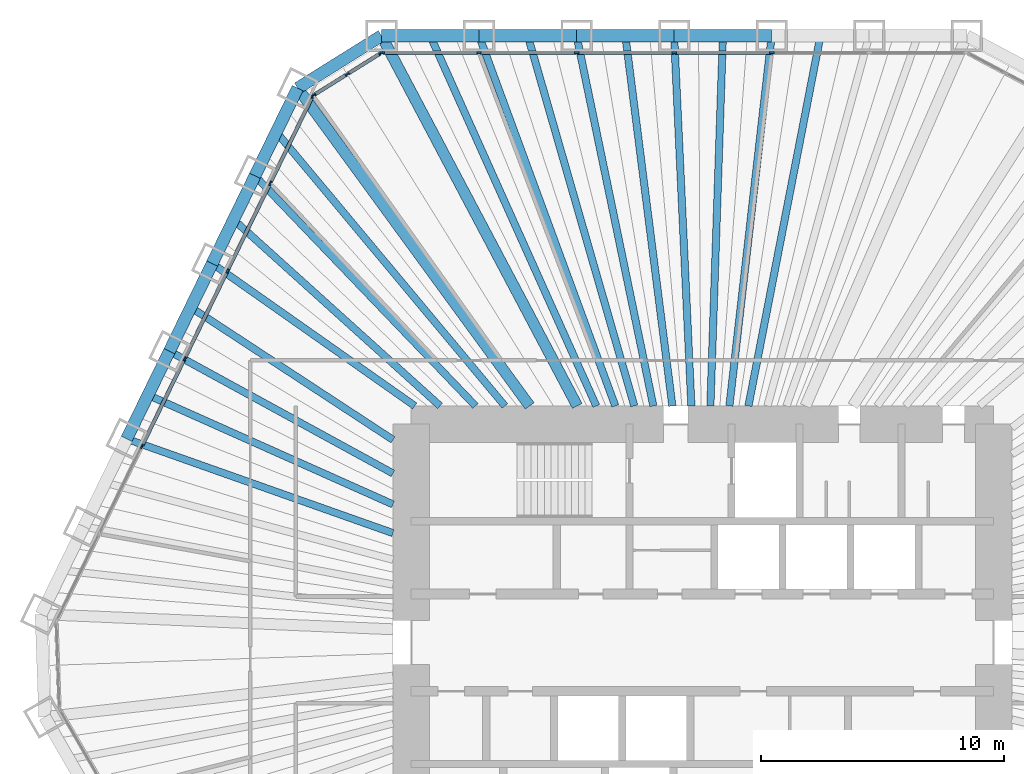
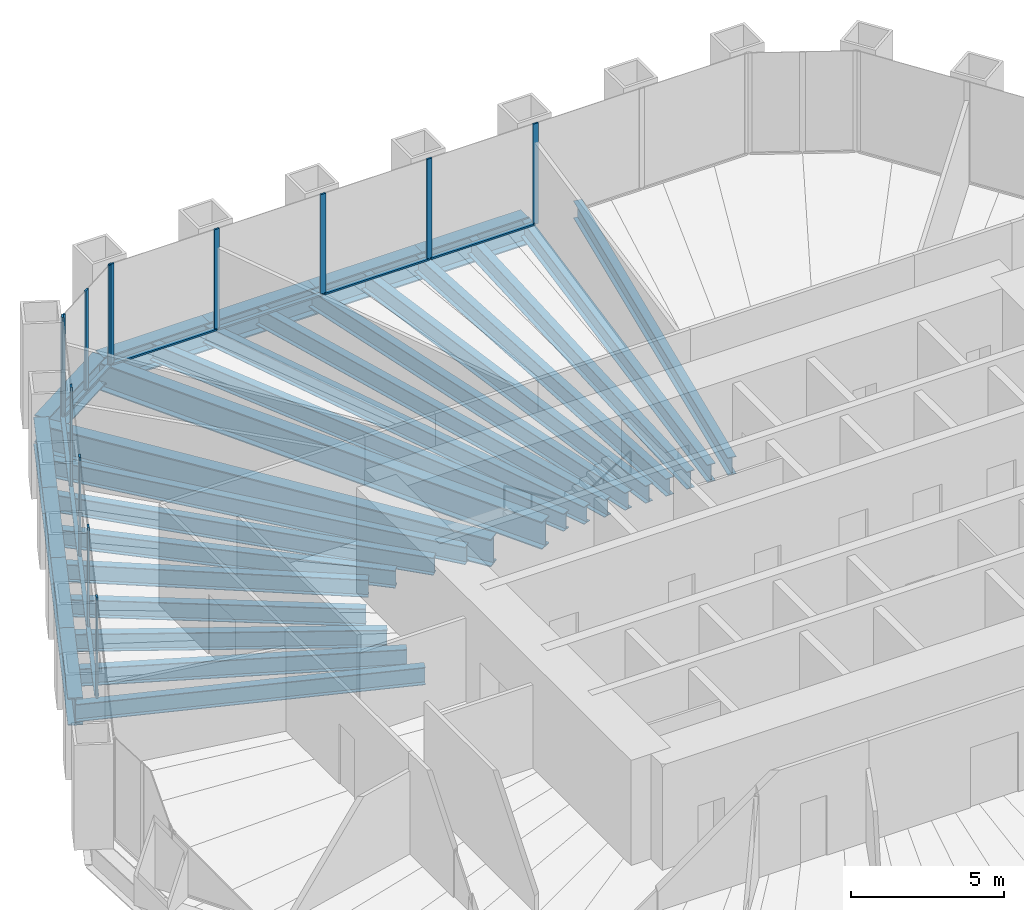
# One storey, part 6 of 13: 28 beams, 23 members, 3 elements without a shape of their own.
"""IFC4 building model written with IfcOpenShell, lengths in metres."""

from ifc_helpers import new_model, si_unit, direction, frame, origin, origin_2d, place, context, subcontext, project, spatial, rectangle, i_section, extrude, material, material_profile, profile_set, type_object, element, aggregate, save


model = new_model("IFC4")

# Units and contexts
model_context = context("Model", 3, precision=1e-05, world=origin(), true_north=direction((0.0, 1.0)))
body_context = subcontext(model_context, "Body", "Model", "MODEL_VIEW")
ifc_project = project(units=[si_unit("LENGTHUNIT", "METRE"), si_unit("AREAUNIT", "SQUARE_METRE"), si_unit("VOLUMEUNIT", "CUBIC_METRE"), si_unit("PLANEANGLEUNIT", "RADIAN"), si_unit("MASSUNIT", "GRAM", prefix="KILO")], contexts=[model_context])

# Site, building, storey
site_placement = place(None, origin())
site = spatial("IfcSite", under=ifc_project, at=site_placement, CompositionType="ELEMENT")
building_placement = place(site_placement, origin())
building = spatial("IfcBuilding", under=site, at=building_placement, Name="Qingtian Harvest Tower", CompositionType="ELEMENT")
storey_placement = place(building_placement, frame((0.0, 0.0, 157.60009765625)))
storey = spatial("IfcBuildingStorey", under=building, at=storey_placement, Name="L33", CompositionType="ELEMENT", Elevation=157.60009765625)

# Beams
ifc_material_1 = material(Name="Steel SM570MC", Category="steel")
ifc_material_profile_1 = material_profile(ifc_material_1, i_section(OverallWidth=0.449951171875, OverallDepth=1.10009765625, WebThickness=0.02197265625, FlangeThickness=0.044921875, at=origin_2d()), Name="H1100x450x22x45")
ifc_profile_set_1 = profile_set([ifc_material_profile_1], Name="Steel SM570MC")
beam_type_1 = type_object("IfcBeamType", Name="Corner floor beam FB8 H1100x450x22x45", PredefinedType="BEAM", material=ifc_profile_set_1)
beam_1_placement = place(storey_placement, frame((-13.2216796875, 25.0, -0.72021484375), z_axis=(0.46750989692, -0.88398783718, 0.0), x_axis=(0.88398783718, 0.46750989692, 0.0)))
element("IfcBeam", 1, at=beam_1_placement, inside=storey, type_object=beam_type_1, Name="Floor beam FB8 N0", PredefinedType="BEAM", context=body_context, shape_type="SweptSolid", body=[
    extrude(i_section(OverallWidth=0.449951171875, OverallDepth=1.10009765625, WebThickness=0.02197265625, FlangeThickness=0.044921875, at=origin_2d()), origin(), (0.0, 0.0, 1.0), 17.25146484375),
])
beam_2_placement = place(storey_placement, frame((-16.673828125, 22.8427734375, -0.72021484375), z_axis=(0.589577703364, -0.807711663712, 0.0), x_axis=(0.807711663712, 0.589577703364, 0.0)))
element("IfcBeam", 2, at=beam_2_placement, inside=storey, type_object=beam_type_1, Name="Floor beam FB8 NW6", PredefinedType="BEAM", context=body_context, shape_type="SweptSolid", body=[
    extrude(i_section(OverallWidth=0.449951171875, OverallDepth=1.10009765625, WebThickness=0.02197265625, FlangeThickness=0.044921875, at=origin_2d()), origin(), (0.0, 0.0, 1.0), 16.209716796875),
])
ifc_material_2 = material(Name="Steel SN490B", Category="steel")
ifc_material_profile_2 = material_profile(ifc_material_2, i_section(OverallWidth=0.300048828125, OverallDepth=0.699951171875, WebThickness=0.012939453125, FlangeThickness=0.02392578125, at=origin_2d()), Name="H700x300x13x24")
ifc_profile_set_2 = profile_set([ifc_material_profile_2], Name="Steel SN490B")
beam_type_2 = type_object("IfcBeamType", Name="Floor beam FB2 H700x300x13x24", PredefinedType="BEAM", material=ifc_profile_set_2)
beam_3_placement = place(storey_placement, frame((-9.20263671875, 25.0, -0.52001953125), z_axis=(0.345440084985, -0.938440806703, 0.0), x_axis=(0.938440806703, 0.345440084985, 0.0)))
element("IfcBeam", 3, at=beam_3_placement, inside=storey, type_object=beam_type_2, Name="Floor beam FB2 N1", PredefinedType="BEAM", context=body_context, shape_type="SweptSolid", body=[
    extrude(i_section(OverallWidth=0.300048828125, OverallDepth=0.699951171875, WebThickness=0.012939453125, FlangeThickness=0.02392578125, at=origin_2d()), origin(), (0.0, 0.0, 1.0), 16.250244140625),
])
beam_4_placement = place(storey_placement, frame((-5.18359375, 25.0, -0.52001953125), z_axis=(0.203032709566, -0.979171955709, 0.0), x_axis=(0.979171955709, 0.203032709566, 0.0)))
element("IfcBeam", 4, at=beam_4_placement, inside=storey, type_object=beam_type_2, Name="Floor beam FB2 N2", PredefinedType="BEAM", context=body_context, shape_type="SweptSolid", body=[
    extrude(i_section(OverallWidth=0.300048828125, OverallDepth=0.699951171875, WebThickness=0.012939453125, FlangeThickness=0.02392578125, at=origin_2d()), origin(), (0.0, 0.0, 1.0), 15.574462890625),
])
beam_5_placement = place(storey_placement, frame((-1.16455078125, 25.0, -0.52001953125), z_axis=(0.046536361684, -0.998916596639, 0.0), x_axis=(0.998916596639, 0.046536361684, 0.0)))
element("IfcBeam", 5, at=beam_5_placement, inside=storey, type_object=beam_type_2, Name="Floor beam FB2 N3", PredefinedType="BEAM", context=body_context, shape_type="SweptSolid", body=[
    extrude(i_section(OverallWidth=0.300048828125, OverallDepth=0.699951171875, WebThickness=0.012939453125, FlangeThickness=0.02392578125, at=origin_2d()), origin(), (0.0, 0.0, 1.0), 15.2666015625),
])
beam_6_placement = place(storey_placement, frame((2.8544921875, 25.0, -0.52001953125), z_axis=(-0.113440722222, -0.993544766249, 0.0), x_axis=(0.993544766249, -0.113440722222, 0.0)))
element("IfcBeam", 6, at=beam_6_placement, inside=storey, type_object=beam_type_2, Name="Floor beam FB2 N4", PredefinedType="BEAM", context=body_context, shape_type="SweptSolid", body=[
    extrude(i_section(OverallWidth=0.300048828125, OverallDepth=0.699951171875, WebThickness=0.012939453125, FlangeThickness=0.02392578125, at=origin_2d()), origin(), (0.0, 0.0, 1.0), 15.34912109375),
])
beam_7_placement = place(storey_placement, frame((-23.72119140625, 8.3935546875, -0.52001953125), z_axis=(0.942723186419, -0.333576068967, 0.0), x_axis=(0.333576068967, 0.942723186419, 0.0)))
element("IfcBeam", 7, at=beam_7_placement, inside=storey, type_object=beam_type_2, Name="Floor beam FB2 NW2", PredefinedType="BEAM", context=body_context, shape_type="SweptSolid", body=[
    extrude(i_section(OverallWidth=0.300048828125, OverallDepth=0.699951171875, WebThickness=0.012939453125, FlangeThickness=0.02392578125, at=origin_2d()), origin(), (0.0, 0.0, 1.0), 11.6376953125),
])
beam_8_placement = place(storey_placement, frame((-21.95947265625, 12.005859375, -0.52001953125), z_axis=(0.877432026785, -0.479700988505, 0.0), x_axis=(0.479700988505, 0.877432026785, 0.0)))
element("IfcBeam", 8, at=beam_8_placement, inside=storey, type_object=beam_type_2, Name="Floor beam FB2 NW3", PredefinedType="BEAM", context=body_context, shape_type="SweptSolid", body=[
    extrude(i_section(OverallWidth=0.300048828125, OverallDepth=0.699951171875, WebThickness=0.012939453125, FlangeThickness=0.02392578125, at=origin_2d()), origin(), (0.0, 0.0, 1.0), 10.495849609375),
])
beam_9_placement = place(storey_placement, frame((-20.197509765625, 15.6181640625, -0.52001953125), z_axis=(0.818080343043, -0.57510394915, 0.0), x_axis=(0.57510394915, 0.818080343043, 0.0)))
element("IfcBeam", 9, at=beam_9_placement, inside=storey, type_object=beam_type_2, Name="Floor beam FB2 NW4", PredefinedType="BEAM", context=body_context, shape_type="SweptSolid", body=[
    extrude(i_section(OverallWidth=0.300048828125, OverallDepth=0.699951171875, WebThickness=0.012939453125, FlangeThickness=0.02392578125, at=origin_2d()), origin(), (0.0, 0.0, 1.0), 10.20361328125),
])
beam_10_placement = place(storey_placement, frame((-18.435791015625, 19.23046875, -0.52001953125), z_axis=(0.69204101057, -0.721858185303, 0.0), x_axis=(0.721858185303, 0.69204101057, 0.0)))
element("IfcBeam", 10, at=beam_10_placement, inside=storey, type_object=beam_type_2, Name="Floor beam FB2 NW5", PredefinedType="BEAM", context=body_context, shape_type="SweptSolid", body=[
    extrude(i_section(OverallWidth=0.300048828125, OverallDepth=0.699951171875, WebThickness=0.012939453125, FlangeThickness=0.02392578125, at=origin_2d()), origin(), (0.0, 0.0, 1.0), 13.13330078125),
])
ifc_material_3 = material(Name="Steel SN490B", Category="steel")
ifc_material_profile_3 = material_profile(ifc_material_3, i_section(OverallWidth=0.300048828125, OverallDepth=0.699951171875, WebThickness=0.012939453125, FlangeThickness=0.02392578125, at=origin_2d()), Name="H700x300x13x24")
ifc_profile_set_3 = profile_set([ifc_material_profile_3], Name="Steel SN490B")
beam_type_3 = type_object("IfcBeamType", Name="Floor joist J2 H700x300x13x24", PredefinedType="JOIST", material=ifc_profile_set_3)
beam_11_placement = place(storey_placement, frame((-11.212158203125, 25.0, -0.52001953125), z_axis=(0.409212761683, -0.912438992852, 0.0), x_axis=(0.912438992852, 0.409212761683, 0.0)))
element("IfcBeam", 11, at=beam_11_placement, inside=storey, type_object=beam_type_3, Name="Floor joist J2 N0", PredefinedType="JOIST", context=body_context, shape_type="SweptSolid", body=[
    extrude(i_section(OverallWidth=0.300048828125, OverallDepth=0.699951171875, WebThickness=0.012939453125, FlangeThickness=0.02392578125, at=origin_2d()), origin(), (0.0, 0.0, 1.0), 16.71337890625),
])
beam_12_placement = place(storey_placement, frame((-7.193115234375, 25.0, -0.52001953125), z_axis=(0.276500682027, -0.961013721462, 0.0), x_axis=(0.961013721462, 0.276500682027, 0.0)))
element("IfcBeam", 12, at=beam_12_placement, inside=storey, type_object=beam_type_3, Name="Floor joist J2 N1", PredefinedType="JOIST", context=body_context, shape_type="SweptSolid", body=[
    extrude(i_section(OverallWidth=0.300048828125, OverallDepth=0.699951171875, WebThickness=0.012939453125, FlangeThickness=0.02392578125, at=origin_2d()), origin(), (0.0, 0.0, 1.0), 15.86865234375),
])
beam_13_placement = place(storey_placement, frame((-3.174072265625, 25.0, -0.52001953125), z_axis=(0.125957899702, -0.992035587821, 0.0), x_axis=(0.992035587821, 0.125957899702, 0.0)))
element("IfcBeam", 13, at=beam_13_placement, inside=storey, type_object=beam_type_3, Name="Floor joist J2 N2", PredefinedType="JOIST", context=body_context, shape_type="SweptSolid", body=[
    extrude(i_section(OverallWidth=0.300048828125, OverallDepth=0.699951171875, WebThickness=0.012939453125, FlangeThickness=0.02392578125, at=origin_2d()), origin(), (0.0, 0.0, 1.0), 15.372314453125),
])
beam_14_placement = place(storey_placement, frame((0.844970703125, 25.0, -0.52001953125), z_axis=(-0.033776183237, -0.999429421943, 0.0), x_axis=(0.999429421943, -0.033776183237, 0.0)))
element("IfcBeam", 14, at=beam_14_placement, inside=storey, type_object=beam_type_3, Name="Floor joist J2 N3", PredefinedType="JOIST", context=body_context, shape_type="SweptSolid", body=[
    extrude(i_section(OverallWidth=0.300048828125, OverallDepth=0.699951171875, WebThickness=0.012939453125, FlangeThickness=0.02392578125, at=origin_2d()), origin(), (0.0, 0.0, 1.0), 15.2587890625),
])
beam_15_placement = place(storey_placement, frame((4.864013671875, 25.0, -0.52001953125), z_axis=(-0.190979017217, -0.981594119269, 0.0), x_axis=(0.981594119269, -0.190979017217, 0.0)))
element("IfcBeam", 15, at=beam_15_placement, inside=storey, type_object=beam_type_3, Name="Floor joist J2 N4", PredefinedType="JOIST", context=body_context, shape_type="SweptSolid", body=[
    extrude(i_section(OverallWidth=0.300048828125, OverallDepth=0.699951171875, WebThickness=0.012939453125, FlangeThickness=0.02392578125, at=origin_2d()), origin(), (0.0, 0.0, 1.0), 15.535888671875),
])
beam_16_placement = place(storey_placement, frame((-22.84033203125, 10.19970703125, -0.52001953125), z_axis=(0.913095877166, -0.407744919162, 0.0), x_axis=(0.407744919162, 0.913095877166, 0.0)))
element("IfcBeam", 16, at=beam_16_placement, inside=storey, type_object=beam_type_3, Name="Floor joist J2 NW2", PredefinedType="JOIST", context=body_context, shape_type="SweptSolid", body=[
    extrude(i_section(OverallWidth=0.300048828125, OverallDepth=0.699951171875, WebThickness=0.012939453125, FlangeThickness=0.02392578125, at=origin_2d()), origin(), (0.0, 0.0, 1.0), 11.05078125),
])
beam_17_placement = place(storey_placement, frame((-21.078369140625, 13.81201171875, -0.52001953125), z_axis=(0.836426246046, -0.548079496903, 0.0), x_axis=(0.548079496903, 0.836426246046, 0.0)))
element("IfcBeam", 17, at=beam_17_placement, inside=storey, type_object=beam_type_3, Name="Floor joist J2 NW3", PredefinedType="JOIST", context=body_context, shape_type="SweptSolid", body=[
    extrude(i_section(OverallWidth=0.300048828125, OverallDepth=0.699951171875, WebThickness=0.012939453125, FlangeThickness=0.02392578125, at=origin_2d()), origin(), (0.0, 0.0, 1.0), 9.95703125),
])
beam_18_placement = place(storey_placement, frame((-19.316650390625, 17.42431640625, -0.52001953125), z_axis=(0.742543540775, -0.669797797886, 0.0), x_axis=(0.669797797886, 0.742543540775, 0.0)))
element("IfcBeam", 18, at=beam_18_placement, inside=storey, type_object=beam_type_3, Name="Floor joist J2 NW4", PredefinedType="JOIST", context=body_context, shape_type="SweptSolid", body=[
    extrude(i_section(OverallWidth=0.300048828125, OverallDepth=0.699951171875, WebThickness=0.012939453125, FlangeThickness=0.02392578125, at=origin_2d()), origin(), (0.0, 0.0, 1.0), 11.457763671875),
])
beam_19_placement = place(storey_placement, frame((-17.5546875, 21.03662109375, -0.52001953125), z_axis=(0.640703730007, -0.767788206704, 0.0), x_axis=(0.767788206704, 0.640703730007, 0.0)))
element("IfcBeam", 19, at=beam_19_placement, inside=storey, type_object=beam_type_3, Name="Floor joist J2 NW5", PredefinedType="JOIST", context=body_context, shape_type="SweptSolid", body=[
    extrude(i_section(OverallWidth=0.300048828125, OverallDepth=0.699951171875, WebThickness=0.012939453125, FlangeThickness=0.02392578125, at=origin_2d()), origin(), (0.0, 0.0, 1.0), 14.7001953125),
])

# Curtain wall, members
ifc_material_4 = material(Name="Bronze-anodised aluminium curtain wall", Category="aluminium")
curtain_wall_type = type_object("IfcCurtainWallType", Name="Curtain wall CW4 office", PredefinedType="USERDEFINED", material=ifc_material_4)
curtain_wall_1_placement = place(storey_placement, origin())
curtain_wall_1 = element("IfcCurtainWall", 20, at=curtain_wall_1_placement, inside=storey, type_object=curtain_wall_type, Name="Curtain wall CW4 L33 N0-5", ObjectType="RECESSED CURTAIN WALL", PredefinedType="USERDEFINED")
ifc_material_5 = material(Name="Bronze-anodised aluminium mullion", Category="aluminium")
ifc_material_profile_4 = material_profile(ifc_material_5, rectangle(XDim=0.06494140625, YDim=0.199951171875, at=origin_2d()), Name="AL 65x200")
ifc_profile_set_4 = profile_set([ifc_material_profile_4], Name="Bronze-anodised aluminium mullion")
member_type_1 = type_object("IfcMemberType", Name="Mullion CWM 65x200", PredefinedType="MULLION", material=ifc_profile_set_4)
member_1_placement = place(storey_placement, frame((-13.189208984375, 24.300048828125, 0.0), z_axis=(0.0, 0.0, 1.0), x_axis=(0.0, 1.0, 0.0)))
member_1 = element("IfcMember", 21, at=member_1_placement, type_object=member_type_1, Name="CW4 mullion 1", PredefinedType="MULLION", context=body_context, shape_type="SweptSolid", body=[
    extrude(rectangle(XDim=0.06494140625, YDim=0.199951171875, at=origin_2d()), origin(), (0.0, 0.0, 1.0), 4.02978515625),
])
member_2_placement = place(storey_placement, frame((-9.20263671875, 24.300048828125, 0.0), z_axis=(0.0, 0.0, 1.0), x_axis=(0.0, 1.0, 0.0)))
member_2 = element("IfcMember", 22, at=member_2_placement, type_object=member_type_1, Name="CW4 mullion 2", PredefinedType="MULLION", context=body_context, shape_type="SweptSolid", body=[
    extrude(rectangle(XDim=0.06494140625, YDim=0.199951171875, at=origin_2d()), origin(), (0.0, 0.0, 1.0), 4.02978515625),
])
member_3_placement = place(storey_placement, frame((-5.18359375, 24.300048828125, 0.0), z_axis=(0.0, 0.0, 1.0), x_axis=(0.0, 1.0, 0.0)))
member_3 = element("IfcMember", 23, at=member_3_placement, type_object=member_type_1, Name="CW4 mullion 3", PredefinedType="MULLION", context=body_context, shape_type="SweptSolid", body=[
    extrude(rectangle(XDim=0.06494140625, YDim=0.199951171875, at=origin_2d()), origin(), (0.0, 0.0, 1.0), 4.02978515625),
])
member_4_placement = place(storey_placement, frame((-1.16455078125, 24.300048828125, 0.0), z_axis=(0.0, 0.0, 1.0), x_axis=(0.0, 1.0, 0.0)))
member_4 = element("IfcMember", 24, at=member_4_placement, type_object=member_type_1, Name="CW4 mullion 4", PredefinedType="MULLION", context=body_context, shape_type="SweptSolid", body=[
    extrude(rectangle(XDim=0.06494140625, YDim=0.199951171875, at=origin_2d()), origin(), (0.0, 0.0, 1.0), 4.02978515625),
])
member_5_placement = place(storey_placement, frame((2.8544921875, 24.300048828125, 0.0), z_axis=(0.0, 0.0, 1.0), x_axis=(0.0, 1.0, 0.0)))
member_5 = element("IfcMember", 25, at=member_5_placement, type_object=member_type_1, Name="CW4 mullion 5", PredefinedType="MULLION", context=body_context, shape_type="SweptSolid", body=[
    extrude(rectangle(XDim=0.06494140625, YDim=0.199951171875, at=origin_2d()), origin(), (0.0, 0.0, 1.0), 4.02978515625),
])

curtain_wall_2_placement = place(storey_placement, origin())
curtain_wall_2 = element("IfcCurtainWall", 26, at=curtain_wall_2_placement, inside=storey, type_object=curtain_wall_type, Name="Curtain wall CW4 L33 NW0-5", ObjectType="RECESSED CURTAIN WALL", PredefinedType="USERDEFINED")
member_6_placement = place(storey_placement, frame((-23.092041015625, 8.086669921875, 0.0), z_axis=(0.0, 0.0, 1.0), x_axis=(-0.898794046299, 0.438371146789, 0.0)))
member_6 = element("IfcMember", 27, at=member_6_placement, type_object=member_type_1, Name="CW4 mullion 3", PredefinedType="MULLION", context=body_context, shape_type="SweptSolid", body=[
    extrude(rectangle(XDim=0.06494140625, YDim=0.199951171875, at=origin_2d()), origin(), (0.0, 0.0, 1.0), 4.02978515625),
])
member_7_placement = place(storey_placement, frame((-21.330322265625, 11.698974609375, 0.0), z_axis=(0.0, 0.0, 1.0), x_axis=(-0.898794046299, 0.438371146789, 0.0)))
member_7 = element("IfcMember", 28, at=member_7_placement, type_object=member_type_1, Name="CW4 mullion 4", PredefinedType="MULLION", context=body_context, shape_type="SweptSolid", body=[
    extrude(rectangle(XDim=0.06494140625, YDim=0.199951171875, at=origin_2d()), origin(), (0.0, 0.0, 1.0), 4.02978515625),
])
member_8_placement = place(storey_placement, frame((-19.568359375, 15.311279296875, 0.0), z_axis=(0.0, 0.0, 1.0), x_axis=(-0.898794046299, 0.438371146789, 0.0)))
member_8 = element("IfcMember", 29, at=member_8_placement, type_object=member_type_1, Name="CW4 mullion 5", PredefinedType="MULLION", context=body_context, shape_type="SweptSolid", body=[
    extrude(rectangle(XDim=0.06494140625, YDim=0.199951171875, at=origin_2d()), origin(), (0.0, 0.0, 1.0), 4.02978515625),
])
member_9_placement = place(storey_placement, frame((-17.806396484375, 18.923828125, 0.0), z_axis=(0.0, 0.0, 1.0), x_axis=(-0.898794046299, 0.438371146789, 0.0)))
member_9 = element("IfcMember", 30, at=member_9_placement, type_object=member_type_1, Name="CW4 mullion 6", PredefinedType="MULLION", context=body_context, shape_type="SweptSolid", body=[
    extrude(rectangle(XDim=0.06494140625, YDim=0.199951171875, at=origin_2d()), origin(), (0.0, 0.0, 1.0), 4.02978515625),
])
member_10_placement = place(storey_placement, frame((-16.058837890625, 22.5068359375, 0.0), z_axis=(0.0, 0.0, 1.0), x_axis=(-0.898794046299, 0.438371146789, 0.0)))
member_10 = element("IfcMember", 31, at=member_10_placement, type_object=member_type_1, Name="CW4 mullion 7", PredefinedType="MULLION", context=body_context, shape_type="SweptSolid", body=[
    extrude(rectangle(XDim=0.06494140625, YDim=0.199951171875, at=origin_2d()), origin(), (0.0, 0.0, 1.0), 4.02978515625),
])

curtain_wall_3_placement = place(storey_placement, origin())
curtain_wall_3 = element("IfcCurtainWall", 32, at=curtain_wall_3_placement, inside=storey, type_object=curtain_wall_type, Name="Curtain wall CW4 L33 NWC", ObjectType="RECESSED CURTAIN WALL", PredefinedType="USERDEFINED")
member_11_placement = place(storey_placement, frame((-16.01708984375, 22.55322265625, 0.0), z_axis=(0.0, 0.0, 1.0), x_axis=(-0.529919264233, 0.848048096156, 0.0)))
member_11 = element("IfcMember", 33, at=member_11_placement, type_object=member_type_1, Name="CW4 mullion 1", PredefinedType="MULLION", context=body_context, shape_type="SweptSolid", body=[
    extrude(rectangle(XDim=0.06494140625, YDim=0.199951171875, at=origin_2d()), origin(), (0.0, 0.0, 1.0), 4.02978515625),
])
member_12_placement = place(storey_placement, frame((-14.63330078125, 23.41796875, 0.0), z_axis=(0.0, 0.0, 1.0), x_axis=(-0.529919264233, 0.848048096156, 0.0)))
member_12 = element("IfcMember", 34, at=member_12_placement, type_object=member_type_1, Name="CW4 mullion 2", PredefinedType="MULLION", context=body_context, shape_type="SweptSolid", body=[
    extrude(rectangle(XDim=0.06494140625, YDim=0.199951171875, at=origin_2d()), origin(), (0.0, 0.0, 1.0), 4.02978515625),
])
member_13_placement = place(storey_placement, frame((-13.249267578125, 24.28271484375, 0.0), z_axis=(0.0, 0.0, 1.0), x_axis=(-0.529919264233, 0.848048096156, 0.0)))
member_13 = element("IfcMember", 35, at=member_13_placement, type_object=member_type_1, Name="CW4 mullion 3", PredefinedType="MULLION", context=body_context, shape_type="SweptSolid", body=[
    extrude(rectangle(XDim=0.06494140625, YDim=0.199951171875, at=origin_2d()), origin(), (0.0, 0.0, 1.0), 4.02978515625),
])

# Beams
ifc_material_6 = material(Name="Steel SM570MC", Category="steel")
ifc_material_profile_5 = material_profile(ifc_material_6, i_section(OverallWidth=0.5, OverallDepth=1.10009765625, WebThickness=0.02490234375, FlangeThickness=0.050048828125, at=origin_2d()), Name="H1100x500x25x50")
ifc_profile_set_5 = profile_set([ifc_material_profile_5], Name="Steel SM570MC")
beam_type_4 = type_object("IfcBeamType", Name="Spandrel beam SB2 H1100x500x25x50", PredefinedType="SPANDREL", material=ifc_profile_set_5)
for number, where, z_axis, x_axis, name in (
    (36, (-13.2216796875, 25.0, -0.550048828125), (1.0, 0.0, 0.0), (0.0, 1.0, 0.0), "Spandrel SB2 N0"),
    (37, (-9.20263671875, 25.0, -0.550048828125), (1.0, 0.0, 0.0), (0.0, 1.0, 0.0), "Spandrel SB2 N1"),
    (38, (-5.18359375, 25.0, -0.550048828125), (1.0, 0.0, 0.0), (0.0, 1.0, 0.0), "Spandrel SB2 N2"),
    (39, (-1.16455078125, 25.0, -0.550048828125), (1.0, 0.0, 0.0), (0.0, 1.0, 0.0), "Spandrel SB2 N3"),
    (40, (-23.72119140625, 8.3935546875, -0.550048828125), (0.438347033158, 0.898805806902, 0.0), (-0.898805806902, 0.438347033158, 0.0), "Spandrel SB2 NW2"),
    (41, (-21.95947265625, 12.005859375, -0.550048828125), (0.438396105405, 0.89878187274, 0.0), (-0.89878187274, 0.438396105405, 0.0), "Spandrel SB2 NW3"),
    (42, (-20.197509765625, 15.6181640625, -0.550048828125), (0.438347033158, 0.898805806902, 0.0), (-0.898805806902, 0.438347033158, 0.0), "Spandrel SB2 NW4"),
    (43, (-18.435791015625, 19.23046875, -0.550048828125), (0.438396105405, 0.89878187274, 0.0), (-0.89878187274, 0.438396105405, 0.0), "Spandrel SB2 NW5"),
):
    element("IfcBeam", number, at=place(storey_placement, frame(where, z_axis=z_axis, x_axis=x_axis)), inside=storey, type_object=beam_type_4, Name=name, PredefinedType="SPANDREL", context=body_context, shape_type="SweptSolid", body=[
        extrude(i_section(OverallWidth=0.5, OverallDepth=1.10009765625, WebThickness=0.02490234375, FlangeThickness=0.050048828125, at=origin_2d()), origin(), (0.0, 0.0, 1.0), 4.01904296875),
    ])
beam_20_placement = place(storey_placement, frame((-16.673828125, 22.8427734375, -0.550048828125), z_axis=(0.848038733752, 0.529934246919, 0.0), x_axis=(-0.529934246919, 0.848038733752, 0.0)))
element("IfcBeam", 44, at=beam_20_placement, inside=storey, type_object=beam_type_4, Name="Spandrel SB2 NWC", PredefinedType="SPANDREL", context=body_context, shape_type="SweptSolid", body=[
    extrude(i_section(OverallWidth=0.5, OverallDepth=1.10009765625, WebThickness=0.02490234375, FlangeThickness=0.050048828125, at=origin_2d()), origin(), (0.0, 0.0, 1.0), 4.07080078125),
])

# Member
ifc_material_7 = material(Name="Bronze-anodised aluminium transom", Category="aluminium")
ifc_material_profile_6 = material_profile(ifc_material_7, rectangle(XDim=0.14990234375, YDim=0.06494140625, at=origin_2d()), Name="AL 65x150")
ifc_profile_set_6 = profile_set([ifc_material_profile_6], Name="Bronze-anodised aluminium transom")
member_type_2 = type_object("IfcMemberType", Name="Transom CWT 65x150", PredefinedType="USERDEFINED", material=ifc_profile_set_6)
member_14_placement = place(storey_placement, frame((-13.15673828125, 24.300048828125, 0.032470703125), z_axis=(1.0, 0.0, 0.0), x_axis=(0.0, 1.0, 0.0)))
member_14 = element("IfcMember", 45, at=member_14_placement, type_object=member_type_2, Name="CW4 transom 1.1", ObjectType="TRANSOM", PredefinedType="USERDEFINED", context=body_context, shape_type="SweptSolid", body=[
    extrude(rectangle(XDim=0.14990234375, YDim=0.06494140625, at=origin_2d()), origin(), (0.0, 0.0, 1.0), 3.921630859375),
])

member_15_placement = place(storey_placement, frame((-9.170166015625, 24.300048828125, 0.032470703125), z_axis=(1.0, 0.0, 0.0), x_axis=(0.0, 1.0, 0.0)))
member_15 = element("IfcMember", 46, at=member_15_placement, type_object=member_type_2, Name="CW4 transom 2.1", ObjectType="TRANSOM", PredefinedType="USERDEFINED", context=body_context, shape_type="SweptSolid", body=[
    extrude(rectangle(XDim=0.14990234375, YDim=0.06494140625, at=origin_2d()), origin(), (0.0, 0.0, 1.0), 3.9541015625),
])

member_16_placement = place(storey_placement, frame((-5.151123046875, 24.300048828125, 0.032470703125), z_axis=(1.0, 0.0, 0.0), x_axis=(0.0, 1.0, 0.0)))
member_16 = element("IfcMember", 47, at=member_16_placement, type_object=member_type_2, Name="CW4 transom 3.1", ObjectType="TRANSOM", PredefinedType="USERDEFINED", context=body_context, shape_type="SweptSolid", body=[
    extrude(rectangle(XDim=0.14990234375, YDim=0.06494140625, at=origin_2d()), origin(), (0.0, 0.0, 1.0), 3.9541015625),
])

member_17_placement = place(storey_placement, frame((-1.132080078125, 24.300048828125, 0.032470703125), z_axis=(1.0, 0.0, 0.0), x_axis=(0.0, 1.0, 0.0)))
member_17 = element("IfcMember", 48, at=member_17_placement, type_object=member_type_2, Name="CW4 transom 4.1", ObjectType="TRANSOM", PredefinedType="USERDEFINED", context=body_context, shape_type="SweptSolid", body=[
    extrude(rectangle(XDim=0.14990234375, YDim=0.06494140625, at=origin_2d()), origin(), (0.0, 0.0, 1.0), 3.9541015625),
])

aggregate(curtain_wall_1, [member_1, member_2, member_3, member_4, member_5, member_14, member_15, member_16, member_17])

member_18_placement = place(storey_placement, frame((-23.077880859375, 8.115966796875, 0.032470703125), z_axis=(0.438374972828, 0.898792180205, 0.0), x_axis=(-0.898792180205, 0.438374972828, 0.0)))
member_18 = element("IfcMember", 49, at=member_18_placement, type_object=member_type_2, Name="CW4 transom 3.1", ObjectType="TRANSOM", PredefinedType="USERDEFINED", context=body_context, shape_type="SweptSolid", body=[
    extrude(rectangle(XDim=0.14990234375, YDim=0.06494140625, at=origin_2d()), origin(), (0.0, 0.0, 1.0), 3.9541015625),
])

member_19_placement = place(storey_placement, frame((-21.31591796875, 11.728271484375, 0.032470703125), z_axis=(0.438374972828, 0.898792180205, 0.0), x_axis=(-0.898792180205, 0.438374972828, 0.0)))
member_19 = element("IfcMember", 50, at=member_19_placement, type_object=member_type_2, Name="CW4 transom 4.1", ObjectType="TRANSOM", PredefinedType="USERDEFINED", context=body_context, shape_type="SweptSolid", body=[
    extrude(rectangle(XDim=0.14990234375, YDim=0.06494140625, at=origin_2d()), origin(), (0.0, 0.0, 1.0), 3.9541015625),
])

member_20_placement = place(storey_placement, frame((-19.55419921875, 15.340576171875, 0.032470703125), z_axis=(0.438374972828, 0.898792180205, 0.0), x_axis=(-0.898792180205, 0.438374972828, 0.0)))
member_20 = element("IfcMember", 51, at=member_20_placement, type_object=member_type_2, Name="CW4 transom 5.1", ObjectType="TRANSOM", PredefinedType="USERDEFINED", context=body_context, shape_type="SweptSolid", body=[
    extrude(rectangle(XDim=0.14990234375, YDim=0.06494140625, at=origin_2d()), origin(), (0.0, 0.0, 1.0), 3.9541015625),
])

member_21_placement = place(storey_placement, frame((-17.792236328125, 18.952880859375, 0.032470703125), z_axis=(0.438351261745, 0.898803744611, 0.0), x_axis=(-0.898803744611, 0.438351261745, 0.0)))
member_21 = element("IfcMember", 52, at=member_21_placement, type_object=member_type_2, Name="CW4 transom 6.1", ObjectType="TRANSOM", PredefinedType="USERDEFINED", context=body_context, shape_type="SweptSolid", body=[
    extrude(rectangle(XDim=0.14990234375, YDim=0.06494140625, at=origin_2d()), origin(), (0.0, 0.0, 1.0), 3.92138671875),
])

aggregate(curtain_wall_2, [member_6, member_7, member_8, member_9, member_10, member_18, member_19, member_20, member_21])

member_22_placement = place(storey_placement, frame((-15.989501953125, 22.570556640625, 0.032470703125), z_axis=(0.848059570903, 0.529900900357, 0.0), x_axis=(-0.529900900357, 0.848059570903, 0.0)))
member_22 = element("IfcMember", 53, at=member_22_placement, type_object=member_type_2, Name="CW4 transom 1.1", ObjectType="TRANSOM", PredefinedType="USERDEFINED", context=body_context, shape_type="SweptSolid", body=[
    extrude(rectangle(XDim=0.14990234375, YDim=0.06494140625, at=origin_2d()), origin(), (0.0, 0.0, 1.0), 1.56689453125),
])

member_23_placement = place(storey_placement, frame((-14.605712890625, 23.435302734375, 0.032470703125), z_axis=(0.848059570903, 0.529900900357, 0.0), x_axis=(-0.529900900357, 0.848059570903, 0.0)))
member_23 = element("IfcMember", 54, at=member_23_placement, type_object=member_type_2, Name="CW4 transom 2.1", ObjectType="TRANSOM", PredefinedType="USERDEFINED", context=body_context, shape_type="SweptSolid", body=[
    extrude(rectangle(XDim=0.14990234375, YDim=0.06494140625, at=origin_2d()), origin(), (0.0, 0.0, 1.0), 1.56689453125),
])

aggregate(curtain_wall_3, [member_11, member_12, member_13, member_22, member_23])

save(model, "model.ifc")
